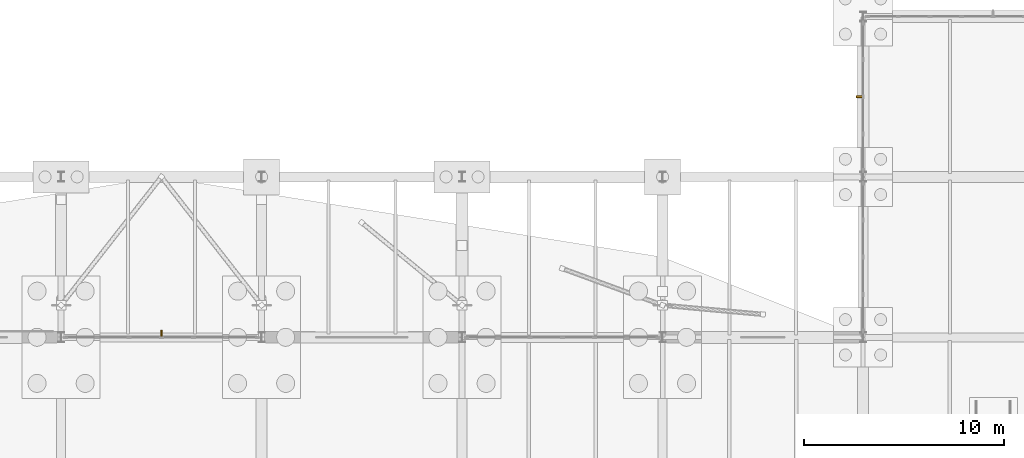
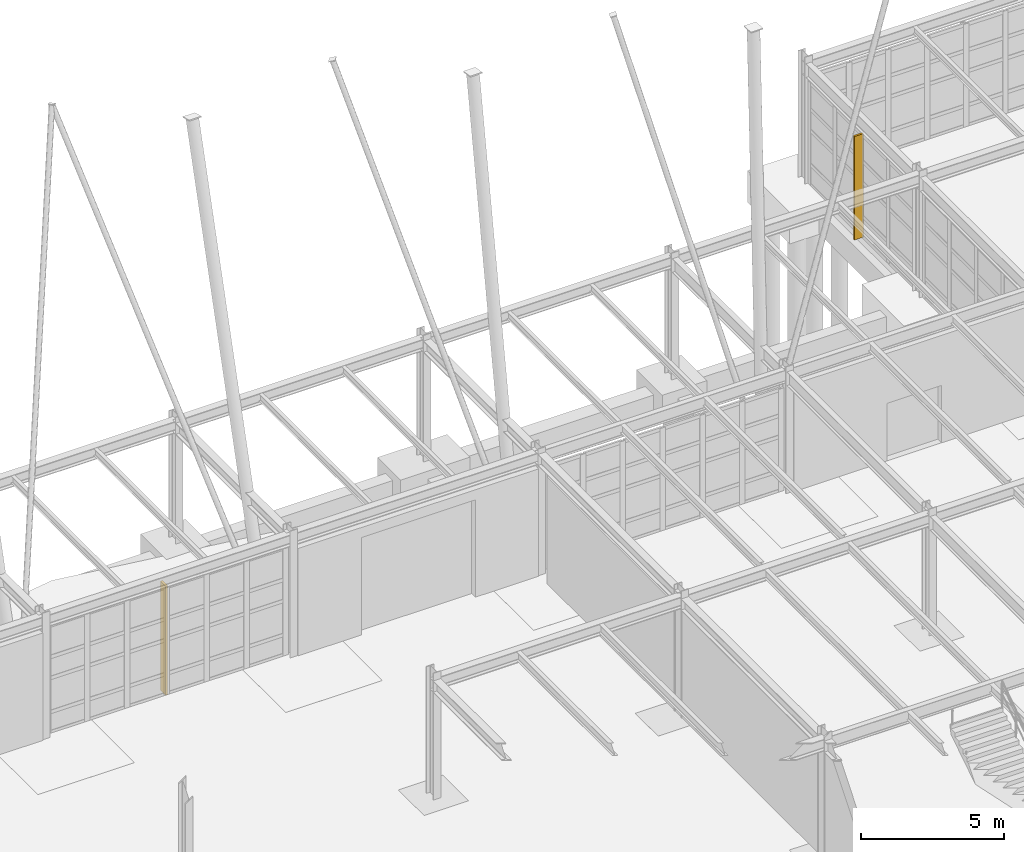
# One storey, part 138 of 145: 2 shading devices.
"""IFC4 building model written with IfcOpenShell, lengths in metres."""

from ifc_helpers import new_model, si_unit, direction, frame, origin, origin_2d, place, context, subcontext, project, spatial, rectangle, extrude, material, type_object, element, save


model = new_model("IFC4")

# Units and contexts
model_context = context("Model", 3, precision=1e-05, world=origin(), true_north=direction((0.0, 1.0)))
body_context = subcontext(model_context, "Body", "Model", "MODEL_VIEW")
ifc_project = project(units=[si_unit("LENGTHUNIT", "METRE"), si_unit("AREAUNIT", "SQUARE_METRE"), si_unit("VOLUMEUNIT", "CUBIC_METRE"), si_unit("PLANEANGLEUNIT", "RADIAN"), si_unit("MASSUNIT", "GRAM", prefix="KILO"), si_unit("THERMODYNAMICTEMPERATUREUNIT", "KELVIN"), si_unit("POWERUNIT", "WATT")], contexts=[model_context])

# Site, building, storey
site_placement = place(None, origin())
site = spatial("IfcSite", under=ifc_project, at=site_placement, CompositionType="ELEMENT")
building_placement = place(site_placement, origin())
building = spatial("IfcBuilding", under=site, at=building_placement, Name="Korenveer Ferry Terminal", CompositionType="ELEMENT")
storey_placement = place(building_placement, origin())
storey = spatial("IfcBuildingStorey", under=building, at=storey_placement, Name="L00", CompositionType="ELEMENT", Elevation=0.0)

# Shading devices
ifc_material = material(Name="Anodised bronze aluminium solar fin", Category="aluminium")
shading_device_type = type_object("IfcShadingDeviceType", Name="ENV-SHD-FIN", PredefinedType="JALOUSIE", material=ifc_material)
shading_device_1_placement = place(storey_placement, frame((88.0, 100.159912109375, -0.02001953125), z_axis=(0.0, 0.0, 1.0), x_axis=(0.0, 1.0, 0.0)))
element("IfcShadingDevice", 1, at=shading_device_1_placement, inside=storey, type_object=shading_device_type, Name="Gothic solar fin 6", PredefinedType="JALOUSIE", context=body_context, shape_type="SweptSolid", body=[
    extrude(rectangle(XDim=0.360107421875, YDim=0.080078125, at=origin_2d()), origin(), (0.0, 0.0, 1.0), 4.64990234375),
])
shading_device_2_placement = place(storey_placement, frame((122.840087890625, 112.0, -0.02001953125), z_axis=(0.0, 0.0, 1.0), x_axis=(1.0, 0.0, 0.0)))
element("IfcShadingDevice", 2, at=shading_device_2_placement, inside=storey, type_object=shading_device_type, Name="Gothic solar fin 13", PredefinedType="JALOUSIE", context=body_context, shape_type="SweptSolid", body=[
    extrude(rectangle(XDim=0.360107421875, YDim=0.080078125, at=origin_2d()), origin(), (0.0, 0.0, 1.0), 4.409912109375),
])

save(model, "model.ifc")
